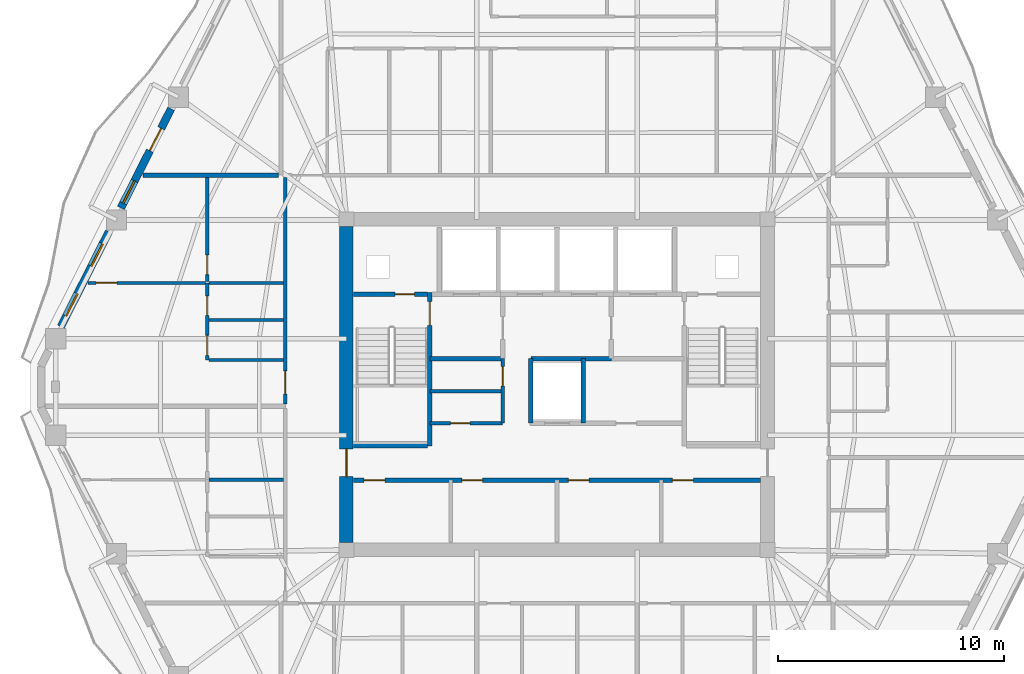
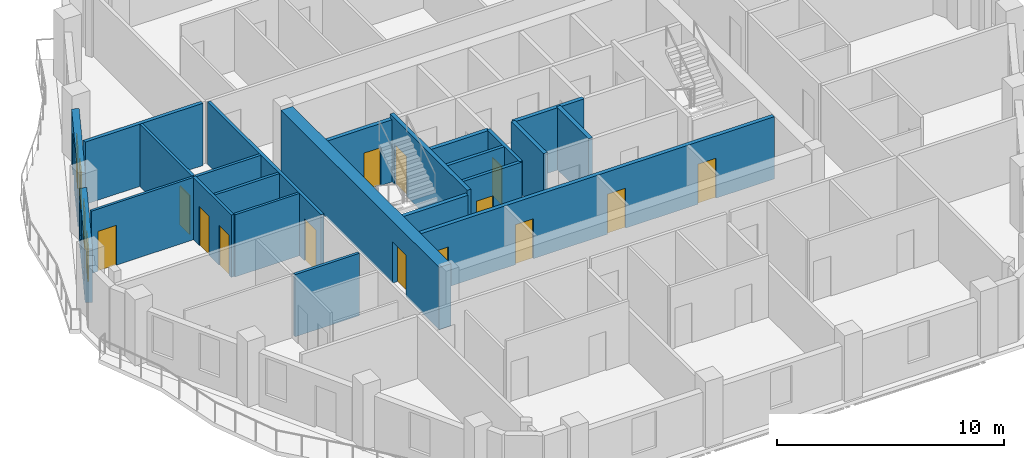
# One storey, part 5 of 12: 23 walls, 15 doors, 3 windows, 18 openings.
"""IFC4 building model written with IfcOpenShell, lengths in metres."""

from ifc_helpers import new_model, si_unit, direction, frame, frame_2d, origin, place, context, subcontext, project, spatial, rectangle, extrude, material, layer, layer_set, type_object, element, fill, save


model = new_model("IFC4")

# Units and contexts
model_context = context("Model", 3, precision=1e-05, world=origin(), true_north=direction((0.0, 1.0)))
body_context = subcontext(model_context, "Body", "Model", "MODEL_VIEW")
ifc_project = project(units=[si_unit("LENGTHUNIT", "METRE"), si_unit("AREAUNIT", "SQUARE_METRE"), si_unit("VOLUMEUNIT", "CUBIC_METRE"), si_unit("PLANEANGLEUNIT", "RADIAN"), si_unit("MASSUNIT", "GRAM", prefix="KILO")], contexts=[model_context])

# Site, building, storey
site_placement = place(None, origin())
site = spatial("IfcSite", under=ifc_project, at=site_placement, CompositionType="ELEMENT")
building_placement = place(site_placement, origin())
building = spatial("IfcBuilding", under=site, at=building_placement, Name="Cinnabar Lancet Tower", CompositionType="ELEMENT")
storey_placement = place(building_placement, frame((0.0, 0.0, 189.64990234375)))
storey = spatial("IfcBuildingStorey", under=building, at=storey_placement, Name="L50", CompositionType="ELEMENT", Elevation=189.64990234375)

# Wall, opening, door
ifc_material_1 = material(Name="Acoustic twin-stud gypsum partition", Category="gypsum")
ifc_layer_1 = layer(ifc_material_1, 0.159912109375)
ifc_layer_set_1 = layer_set([ifc_layer_1], Name="Acoustic twin-stud gypsum partition")
wall_type_1 = type_object("IfcWallType", Name="ARC-WL-CORR-160", PredefinedType="PARTITIONING", material=ifc_layer_set_1)
wall_1_placement = place(storey_placement, frame((26.800048828125, 24.199951171875, 0.0), z_axis=(0.0, 0.0, 1.0), x_axis=(1.0, 0.0, 0.0)))
wall_1 = element("IfcWall", 1, at=wall_1_placement, inside=storey, type_object=wall_type_1, Name="CW-REC5S-L50", PredefinedType="PARTITIONING", context=body_context, shape_type="SweptSolid", body=[
    extrude(rectangle(XDim=3.199951171875, YDim=0.159912109375, at=frame_2d((1.60009765625, 0.0))), origin(), (0.0, 0.0, 1.0), 3.35009765625),
])
opening_1_placement = place(wall_1_placement, frame((0.89990234375, 0.0, 0.0)))
opening_1 = element("IfcOpeningElement", 2, at=opening_1_placement, cuts=wall_1, Name="Opening PD-02", PredefinedType="OPENING", context=body_context, shape_type="SweptSolid", body=[
    extrude(rectangle(XDim=0.85009765625, YDim=2.050048828125, at=frame_2d((0.425048828125, 1.02490234375))), frame((0.0, 0.08984375, 0.0), z_axis=(0.0, -1.0, 0.0), x_axis=(1.0, 0.0, 0.0)), (0.0, 0.0, 1.0), 0.179931640625),
])
ifc_material_2 = material(Name="Fire-rated steel riser access door", Category="steel")
door_type_1 = type_object("IfcDoorType", Name="ARC-DR-RISER", OperationType="NOTDEFINED", PredefinedType="DOOR", material=ifc_material_2)
door_1_placement = place(opening_1_placement, origin())
door_1 = element("IfcDoor", 3, at=door_1_placement, inside=storey, type_object=door_type_1, Name="DR-L50-REC5S", OperationType="SINGLE_SWING_LEFT", OverallHeight=2.050048828125, OverallWidth=0.85009765625, PredefinedType="DOOR", context=body_context, shape_type="SweptSolid", body=[
    extrude(rectangle(XDim=0.85009765625, YDim=2.050048828125, at=frame_2d((0.425048828125, 1.02490234375))), frame((0.0, 0.02490234375, 0.0), z_axis=(0.0, -1.0, 0.0), x_axis=(1.0, 0.0, 0.0)), (0.0, 0.0, 1.0), 0.050048828125),
])
fill(opening_1, door_1)

wall_2_placement = place(storey_placement, frame((30.0, 24.199951171875, 0.0), z_axis=(0.0, 0.0, 1.0), x_axis=(0.0, 1.0, 0.0)))
wall_2 = element("IfcWall", 4, at=wall_2_placement, inside=storey, type_object=wall_type_1, Name="CW-REC5E-L50", PredefinedType="PARTITIONING", context=body_context, shape_type="SweptSolid", body=[
    extrude(rectangle(XDim=2.85009765625, YDim=0.159912109375, at=frame_2d((1.425048828125, 0.0))), origin(), (0.0, 0.0, 1.0), 3.35009765625),
])
opening_2_placement = place(wall_2_placement, frame((1.64990234375, 0.0, 0.0)))
opening_2 = element("IfcOpeningElement", 5, at=opening_2_placement, cuts=wall_2, Name="Opening PD-02", PredefinedType="OPENING", context=body_context, shape_type="SweptSolid", body=[
    extrude(rectangle(XDim=0.85009765625, YDim=2.050048828125, at=frame_2d((0.425048828125, 1.02490234375))), frame((0.0, 0.08984375, 0.0), z_axis=(0.0, -1.0, 0.0), x_axis=(1.0, 0.0, 0.0)), (0.0, 0.0, 1.0), 0.179931640625),
])
door_2_placement = place(opening_2_placement, origin())
door_2 = element("IfcDoor", 6, at=door_2_placement, inside=storey, type_object=door_type_1, Name="DR-L50-REC5N", OperationType="SINGLE_SWING_RIGHT", OverallHeight=2.050048828125, OverallWidth=0.85009765625, PredefinedType="DOOR", context=body_context, shape_type="SweptSolid", body=[
    extrude(rectangle(XDim=0.85009765625, YDim=2.050048828125, at=frame_2d((0.425048828125, 1.02490234375))), frame((0.0, 0.02490234375, 0.0), z_axis=(0.0, -1.0, 0.0), x_axis=(1.0, 0.0, 0.0)), (0.0, 0.0, 1.0), 0.050048828125),
])
fill(opening_2, door_2)

# Wall
wall_3_placement = place(storey_placement, frame((26.800048828125, 25.60009765625, 0.0), z_axis=(0.0, 0.0, 1.0), x_axis=(1.0, 0.0, 0.0)))
element("IfcWall", 7, at=wall_3_placement, inside=storey, type_object=wall_type_1, Name="CW-REC5HZ-L50", PredefinedType="PARTITIONING", context=body_context, shape_type="SweptSolid", body=[
    extrude(rectangle(XDim=3.199951171875, YDim=0.159912109375, at=frame_2d((1.60009765625, 0.0))), origin(), (0.0, 0.0, 1.0), 3.35009765625),
])

# Wall, opening, door
wall_4_placement = place(storey_placement, frame((20.39990234375, 25.0390625, 0.0), z_axis=(0.0, 0.0, 1.0), x_axis=(0.0, 1.0, 0.0)))
wall_4 = element("IfcWall", 8, at=wall_4_placement, inside=storey, type_object=wall_type_1, Name="UW-L50-W02-COR", PredefinedType="PARTITIONING", context=body_context, shape_type="SweptSolid", body=[
    extrude(rectangle(XDim=10.015869140625, YDim=0.159912109375, at=frame_2d((5.0078125, 0.0))), origin(), (0.0, 0.0, 1.0), 3.35009765625),
])
opening_3_placement = place(wall_4_placement, frame((0.449951171875, 0.0, 0.0)))
opening_3 = element("IfcOpeningElement", 9, at=opening_3_placement, cuts=wall_4, Name="Opening UD-01", PredefinedType="OPENING", context=body_context, shape_type="SweptSolid", body=[
    extrude(rectangle(XDim=1.02001953125, YDim=2.25, at=frame_2d((0.510009765625, 1.125))), frame((0.0, 0.08984375, 0.0), z_axis=(0.0, -1.0, 0.0), x_axis=(1.0, 0.0, 0.0)), (0.0, 0.0, 1.0), 0.179931640625),
])
ifc_material_3 = material(Name="Solid timber fire-rated apartment entrance door", Category="wood")
door_type_2 = type_object("IfcDoorType", Name="ARC-DR-UNIT", OperationType="NOTDEFINED", PredefinedType="DOOR", material=ifc_material_3)
door_3_placement = place(opening_3_placement, origin())
door_3 = element("IfcDoor", 10, at=door_3_placement, inside=storey, type_object=door_type_2, Name="DR-L50-W02-ENT", OperationType="SINGLE_SWING_RIGHT", OverallHeight=2.25, OverallWidth=1.02001953125, PredefinedType="DOOR", context=body_context, shape_type="SweptSolid", body=[
    extrude(rectangle(XDim=1.02001953125, YDim=2.25, at=frame_2d((0.510009765625, 1.125))), frame((0.0, 0.02490234375, 0.0), z_axis=(0.0, -1.0, 0.0), x_axis=(1.0, 0.0, 0.0)), (0.0, 0.0, 1.0), 0.050048828125),
])
fill(opening_3, door_3)

# Walls
ifc_material_4 = material(Name="Fire-rated twin-frame acoustic drywall", Category="gypsum")
ifc_layer_2 = layer(ifc_material_4, 0.179931640625)
ifc_layer_set_2 = layer_set([ifc_layer_2], Name="Fire-rated twin-frame acoustic drywall")
wall_type_2 = type_object("IfcWallType", Name="ARC-WL-PARTY-180", PredefinedType="PARTITIONING", material=ifc_layer_set_2)
wall_5_placement = place(storey_placement, frame((14.110107421875, 35.14990234375, 0.0), z_axis=(0.0, 0.0, 1.0), x_axis=(1.0, 0.0, 0.0)))
element("IfcWall", 11, at=wall_5_placement, inside=storey, type_object=wall_type_2, Name="PW-L50-WNB", PredefinedType="PARTITIONING", context=body_context, shape_type="SweptSolid", body=[
    extrude(rectangle(XDim=5.994873046875, YDim=0.179931640625, at=frame_2d((2.99755859375, 0.0))), origin(), (0.0, 0.0, 1.0), 3.35009765625),
])
ifc_material_5 = material(Name="Autoclaved aerated concrete blockwork", Category="masonry")
ifc_layer_3 = layer(ifc_material_5, 0.199951171875)
ifc_layer_set_3 = layer_set([ifc_layer_3], Name="Autoclaved aerated concrete blockwork")
wall_type_3 = type_object("IfcWallType", Name="ARC-WL-SHAFT-200", PredefinedType="PLUMBINGWALL", material=ifc_layer_set_3)
wall_6_placement = place(storey_placement, frame((23.405029296875, 23.199951171875, 0.0), z_axis=(0.0, 0.0, 1.0), x_axis=(1.0, 0.0, 0.0)))
element("IfcWall", 12, at=wall_6_placement, inside=storey, type_object=wall_type_3, Name="CW-ST1S-L50", PredefinedType="PLUMBINGWALL", context=body_context, shape_type="SweptSolid", body=[
    extrude(rectangle(XDim=3.27001953125, YDim=0.199951171875, at=frame_2d((1.635009765625, 0.0))), origin(), (0.0, 0.0, 1.0), 3.35009765625),
])

# Wall, opening, door
wall_7_placement = place(storey_placement, frame((23.405029296875, 29.89990234375, 0.0), z_axis=(0.0, 0.0, 1.0), x_axis=(1.0, 0.0, 0.0)))
wall_7 = element("IfcWall", 13, at=wall_7_placement, inside=storey, type_object=wall_type_3, Name="CW-NSH-W-L50", PredefinedType="PLUMBINGWALL", context=body_context, shape_type="SweptSolid", body=[
    extrude(rectangle(XDim=3.27001953125, YDim=0.199951171875, at=frame_2d((1.635009765625, 0.0))), origin(), (0.0, 0.0, 1.0), 3.35009765625),
])
opening_4_placement = place(wall_7_placement, frame((1.85009765625, 0.0, 0.0)))
opening_4 = element("IfcOpeningElement", 14, at=opening_4_placement, cuts=wall_7, Name="Opening PD-02", PredefinedType="OPENING", context=body_context, shape_type="SweptSolid", body=[
    extrude(rectangle(XDim=0.85009765625, YDim=2.050048828125, at=frame_2d((0.425048828125, 1.02490234375))), frame((0.0, 0.10986328125, 0.0), z_axis=(0.0, -1.0, 0.0), x_axis=(1.0, 0.0, 0.0)), (0.0, 0.0, 1.0), 0.219970703125),
])
door_4_placement = place(opening_4_placement, origin())
door_4 = element("IfcDoor", 15, at=door_4_placement, inside=storey, type_object=door_type_1, Name="L50 West Riser Access Door", OperationType="SINGLE_SWING_LEFT", OverallHeight=2.050048828125, OverallWidth=0.85009765625, PredefinedType="DOOR", context=body_context, shape_type="SweptSolid", body=[
    extrude(rectangle(XDim=0.85009765625, YDim=2.050048828125, at=frame_2d((0.425048828125, 1.02490234375))), frame((0.0, 0.02490234375, 0.0), z_axis=(0.0, -1.0, 0.0), x_axis=(1.0, 0.0, 0.0)), (0.0, 0.0, 1.0), 0.050048828125),
])
fill(opening_4, door_4)

# Walls
wall_8_placement = place(storey_placement, frame((26.800048828125, 27.050048828125, 0.0), z_axis=(0.0, 0.0, 1.0), x_axis=(1.0, 0.0, 0.0)))
element("IfcWall", 16, at=wall_8_placement, inside=storey, type_object=wall_type_3, Name="CW-FF1S-L50", PredefinedType="PLUMBINGWALL", context=body_context, shape_type="SweptSolid", body=[
    extrude(rectangle(XDim=3.199951171875, YDim=0.199951171875, at=frame_2d((1.60009765625, 0.0))), origin(), (0.0, 0.0, 1.0), 3.35009765625),
])
for number, where, z_axis, x_axis, name in (
    (17, (31.25, 24.199951171875, 0.0), (0.0, 0.0, 1.0), (0.0, 1.0, 0.0), "CW-PL9W-L50"),
    (18, (33.550048828125, 24.199951171875, 0.0), (0.0, 0.0, 1.0), (0.0, 1.0, 0.0), "CW-PL9E-L50"),
):
    element("IfcWall", number, at=place(storey_placement, frame(where, z_axis=z_axis, x_axis=x_axis)), inside=storey, type_object=wall_type_3, Name=name, PredefinedType="PLUMBINGWALL", context=body_context, shape_type="SweptSolid", body=[
        extrude(rectangle(XDim=2.85009765625, YDim=0.199951171875, at=frame_2d((1.425048828125, 0.0))), origin(), (0.0, 0.0, 1.0), 3.35009765625),
    ])
wall_9_placement = place(storey_placement, frame((31.25, 27.050048828125, 0.0), z_axis=(0.0, 0.0, 1.0), x_axis=(1.0, 0.0, 0.0)))
element("IfcWall", 19, at=wall_9_placement, inside=storey, type_object=wall_type_3, Name="CW-PL96N-L50", PredefinedType="PLUMBINGWALL", context=body_context, shape_type="SweptSolid", body=[
    extrude(rectangle(XDim=3.550048828125, YDim=0.199951171875, at=frame_2d((1.77490234375, 0.0))), origin(), (0.0, 0.0, 1.0), 3.35009765625),
])

# Wall, openings, doors
wall_10_placement = place(storey_placement, frame((23.419921875, 21.679931640625, 0.0), z_axis=(0.0, 0.0, 1.0), x_axis=(1.0, 0.0, 0.0)))
wall_10 = element("IfcWall", 20, at=wall_10_placement, inside=storey, type_object=wall_type_3, Name="CW-SBANDN-L50", PredefinedType="PLUMBINGWALL", context=body_context, shape_type="SweptSolid", body=[
    extrude(rectangle(XDim=17.9599609375, YDim=0.199951171875, at=frame_2d((8.97998046875, 0.0))), origin(), (0.0, 0.0, 1.0), 3.35009765625),
])
opening_5_placement = place(wall_10_placement, frame((0.4599609375, 0.0, 0.0)))
opening_5 = element("IfcOpeningElement", 21, at=opening_5_placement, cuts=wall_10, Name="Opening RD-01", PredefinedType="OPENING", context=body_context, shape_type="SweptSolid", body=[
    extrude(rectangle(XDim=0.919921875, YDim=2.14990234375, at=frame_2d((0.4599609375, 1.074951171875))), frame((0.0, 0.10986328125, 0.0), z_axis=(0.0, -1.0, 0.0), x_axis=(1.0, 0.0, 0.0)), (0.0, 0.0, 1.0), 0.219970703125),
])
opening_6_placement = place(wall_10_placement, frame((4.780029296875, 0.0, 0.0)))
opening_6 = element("IfcOpeningElement", 22, at=opening_6_placement, cuts=wall_10, Name="Opening RD-01", PredefinedType="OPENING", context=body_context, shape_type="SweptSolid", body=[
    extrude(rectangle(XDim=0.919921875, YDim=2.14990234375, at=frame_2d((0.4599609375, 1.074951171875))), frame((0.0, 0.10986328125, 0.0), z_axis=(0.0, -1.0, 0.0), x_axis=(1.0, 0.0, 0.0)), (0.0, 0.0, 1.0), 0.219970703125),
])
opening_7_placement = place(wall_10_placement, frame((9.47998046875, 0.0, 0.0)))
opening_7 = element("IfcOpeningElement", 23, at=opening_7_placement, cuts=wall_10, Name="Opening RD-01", PredefinedType="OPENING", context=body_context, shape_type="SweptSolid", body=[
    extrude(rectangle(XDim=0.919921875, YDim=2.14990234375, at=frame_2d((0.4599609375, 1.074951171875))), frame((0.0, 0.10986328125, 0.0), z_axis=(0.0, -1.0, 0.0), x_axis=(1.0, 0.0, 0.0)), (0.0, 0.0, 1.0), 0.219970703125),
])
opening_8_placement = place(wall_10_placement, frame((14.080078125, 0.0, 0.0)))
opening_8 = element("IfcOpeningElement", 24, at=opening_8_placement, cuts=wall_10, Name="Opening RD-01", PredefinedType="OPENING", context=body_context, shape_type="SweptSolid", body=[
    extrude(rectangle(XDim=0.919921875, YDim=2.14990234375, at=frame_2d((0.4599609375, 1.074951171875))), frame((0.0, 0.10986328125, 0.0), z_axis=(0.0, -1.0, 0.0), x_axis=(1.0, 0.0, 0.0)), (0.0, 0.0, 1.0), 0.219970703125),
])
ifc_material_6 = material(Name="Engineered timber bedroom door", Category="wood")
door_type_3 = type_object("IfcDoorType", Name="ARC-DR-ROOM", OperationType="NOTDEFINED", PredefinedType="DOOR", material=ifc_material_6)
door_5_placement = place(opening_5_placement, origin())
door_5 = element("IfcDoor", 25, at=door_5_placement, inside=storey, type_object=door_type_3, Name="DR-L50-HREC1", OperationType="SINGLE_SWING_LEFT", OverallHeight=2.14990234375, OverallWidth=0.919921875, PredefinedType="DOOR", context=body_context, shape_type="SweptSolid", body=[
    extrude(rectangle(XDim=0.919921875, YDim=2.14990234375, at=frame_2d((0.4599609375, 1.074951171875))), frame((0.0, 0.02490234375, 0.0), z_axis=(0.0, -1.0, 0.0), x_axis=(1.0, 0.0, 0.0)), (0.0, 0.0, 1.0), 0.050048828125),
])
fill(opening_5, door_5)
door_6_placement = place(opening_6_placement, origin())
door_6 = element("IfcDoor", 26, at=door_6_placement, inside=storey, type_object=door_type_3, Name="DR-L50-HREC2", OperationType="SINGLE_SWING_RIGHT", OverallHeight=2.14990234375, OverallWidth=0.919921875, PredefinedType="DOOR", context=body_context, shape_type="SweptSolid", body=[
    extrude(rectangle(XDim=0.919921875, YDim=2.14990234375, at=frame_2d((0.4599609375, 1.074951171875))), frame((0.0, 0.02490234375, 0.0), z_axis=(0.0, -1.0, 0.0), x_axis=(1.0, 0.0, 0.0)), (0.0, 0.0, 1.0), 0.050048828125),
])
fill(opening_6, door_6)
door_7_placement = place(opening_7_placement, origin())
door_7 = element("IfcDoor", 27, at=door_7_placement, inside=storey, type_object=door_type_3, Name="DR-L50-HREC3", OperationType="SINGLE_SWING_LEFT", OverallHeight=2.14990234375, OverallWidth=0.919921875, PredefinedType="DOOR", context=body_context, shape_type="SweptSolid", body=[
    extrude(rectangle(XDim=0.919921875, YDim=2.14990234375, at=frame_2d((0.4599609375, 1.074951171875))), frame((0.0, 0.02490234375, 0.0), z_axis=(0.0, -1.0, 0.0), x_axis=(1.0, 0.0, 0.0)), (0.0, 0.0, 1.0), 0.050048828125),
])
fill(opening_7, door_7)
door_8_placement = place(opening_8_placement, origin())
door_8 = element("IfcDoor", 28, at=door_8_placement, inside=storey, type_object=door_type_3, Name="DR-L50-HREC4", OperationType="SINGLE_SWING_RIGHT", OverallHeight=2.14990234375, OverallWidth=0.919921875, PredefinedType="DOOR", context=body_context, shape_type="SweptSolid", body=[
    extrude(rectangle(XDim=0.919921875, YDim=2.14990234375, at=frame_2d((0.4599609375, 1.074951171875))), frame((0.0, 0.02490234375, 0.0), z_axis=(0.0, -1.0, 0.0), x_axis=(1.0, 0.0, 0.0)), (0.0, 0.0, 1.0), 0.050048828125),
])
fill(opening_8, door_8)

# Wall
ifc_material_7 = material(Name="Gypsum plasterboard stud partition", Category="gypsum")
ifc_layer_4 = layer(ifc_material_7, 0.125)
ifc_layer_set_4 = layer_set([ifc_layer_4], Name="Gypsum plasterboard stud partition")
wall_type_4 = type_object("IfcWallType", Name="ARC-WL-UNIT-125", PredefinedType="PARTITIONING", material=ifc_layer_set_4)
wall_11_placement = place(storey_placement, frame((17.034912109375, 26.993896484375, 0.0), z_axis=(0.0, 0.0, 1.0), x_axis=(1.0, 0.0, 0.0)))
element("IfcWall", 29, at=wall_11_placement, inside=storey, type_object=wall_type_4, Name="UW-L50-W02-FOYN", PredefinedType="PARTITIONING", context=body_context, shape_type="SweptSolid", body=[
    extrude(rectangle(XDim=3.280029296875, YDim=0.125, at=frame_2d((1.64013671875, 0.0))), origin(), (0.0, 0.0, 1.0), 3.35009765625),
])

# Wall, opening, door
wall_12_placement = place(storey_placement, frame((11.68798828125, 30.39404296875, 0.0), z_axis=(0.0, 0.0, 1.0), x_axis=(1.0, 0.0, 0.0)))
wall_12 = element("IfcWall", 30, at=wall_12_placement, inside=storey, type_object=wall_type_4, Name="UW-L50-W02-MBN", PredefinedType="PARTITIONING", context=body_context, shape_type="SweptSolid", body=[
    extrude(rectangle(XDim=5.18701171875, YDim=0.125, at=frame_2d((2.593505859375, 0.0))), origin(), (0.0, 0.0, 1.0), 3.35009765625),
])
opening_9_placement = place(wall_12_placement, frame((0.35009765625, 0.0, 0.0)))
opening_9 = element("IfcOpeningElement", 31, at=opening_9_placement, cuts=wall_12, Name="Opening RD-01", PredefinedType="OPENING", context=body_context, shape_type="SweptSolid", body=[
    extrude(rectangle(XDim=0.919921875, YDim=2.14990234375, at=frame_2d((0.4599609375, 1.074951171875))), frame((0.0, 0.072509765625, 0.0), z_axis=(0.0, -1.0, 0.0), x_axis=(1.0, 0.0, 0.0)), (0.0, 0.0, 1.0), 0.14501953125),
])
door_9_placement = place(opening_9_placement, origin())
door_9 = element("IfcDoor", 32, at=door_9_placement, inside=storey, type_object=door_type_3, Name="DR-L50-W02-MBD", OperationType="SINGLE_SWING_RIGHT", OverallHeight=2.14990234375, OverallWidth=0.919921875, PredefinedType="DOOR", context=body_context, shape_type="SweptSolid", body=[
    extrude(rectangle(XDim=0.919921875, YDim=2.14990234375, at=frame_2d((0.4599609375, 1.074951171875))), frame((0.0, 0.02490234375, 0.0), z_axis=(0.0, -1.0, 0.0), x_axis=(1.0, 0.0, 0.0)), (0.0, 0.0, 1.0), 0.050048828125),
])
fill(opening_9, door_9)

# Wall
ifc_material_8 = material(Name="Moisture-resistant cement-board plumbing wall", Category="masonry")
ifc_layer_5 = layer(ifc_material_8, 0.139892578125)
ifc_layer_set_5 = layer_set([ifc_layer_5], Name="Moisture-resistant cement-board plumbing wall")
wall_type_5 = type_object("IfcWallType", Name="ARC-WL-WET-140", PredefinedType="PLUMBINGWALL", material=ifc_layer_set_5)
wall_13_placement = place(storey_placement, frame((17.034912109375, 21.699951171875, 0.0), z_axis=(0.0, 0.0, 1.0), x_axis=(1.0, 0.0, 0.0)))
element("IfcWall", 33, at=wall_13_placement, inside=storey, type_object=wall_type_5, Name="UW-L50-W01-ENSN", PredefinedType="PLUMBINGWALL", context=body_context, shape_type="SweptSolid", body=[
    extrude(rectangle(XDim=3.280029296875, YDim=0.139892578125, at=frame_2d((1.64013671875, 0.0))), origin(), (0.0, 0.0, 1.0), 3.35009765625),
])

# Wall, openings, doors
wall_14_placement = place(storey_placement, frame((16.949951171875, 26.993896484375, 0.0), z_axis=(0.0, 0.0, 1.0), x_axis=(0.0, 1.0, 0.0)))
wall_14 = element("IfcWall", 34, at=wall_14_placement, inside=storey, type_object=wall_type_5, Name="UW-L50-W02-SPL", PredefinedType="PLUMBINGWALL", context=body_context, shape_type="SweptSolid", body=[
    extrude(rectangle(XDim=3.400146484375, YDim=0.139892578125, at=frame_2d((1.7001953125, 0.0))), origin(), (0.0, 0.0, 1.0), 3.35009765625),
])
opening_10_placement = place(wall_14_placement, frame((0.199951171875, 0.0, 0.0)))
opening_10 = element("IfcOpeningElement", 35, at=opening_10_placement, cuts=wall_14, Name="Opening RD-02", PredefinedType="OPENING", context=body_context, shape_type="SweptSolid", body=[
    extrude(rectangle(XDim=0.8798828125, YDim=2.14990234375, at=frame_2d((0.43994140625, 1.074951171875))), frame((0.0, 0.079833984375, 0.0), z_axis=(0.0, -1.0, 0.0), x_axis=(1.0, 0.0, 0.0)), (0.0, 0.0, 1.0), 0.159912109375),
])
opening_11_placement = place(wall_14_placement, frame((1.968017578125, 0.0, 0.0)))
opening_11 = element("IfcOpeningElement", 36, at=opening_11_placement, cuts=wall_14, Name="Opening BD-01", PredefinedType="OPENING", context=body_context, shape_type="SweptSolid", body=[
    extrude(rectangle(XDim=0.860107421875, YDim=2.10009765625, at=frame_2d((0.43017578125, 1.050048828125))), frame((0.0, 0.079833984375, 0.0), z_axis=(0.0, -1.0, 0.0), x_axis=(1.0, 0.0, 0.0)), (0.0, 0.0, 1.0), 0.159912109375),
])
ifc_material_9 = material(Name="Moisture-resistant timber bathroom door", Category="wood")
door_type_4 = type_object("IfcDoorType", Name="ARC-DR-BATH", OperationType="NOTDEFINED", PredefinedType="DOOR", material=ifc_material_9)
door_10_placement = place(opening_11_placement, origin())
door_10 = element("IfcDoor", 37, at=door_10_placement, inside=storey, type_object=door_type_4, Name="DR-L50-W02-BTH", OperationType="SINGLE_SWING_RIGHT", OverallHeight=2.10009765625, OverallWidth=0.860107421875, PredefinedType="DOOR", context=body_context, shape_type="SweptSolid", body=[
    extrude(rectangle(XDim=0.860107421875, YDim=2.10009765625, at=frame_2d((0.43017578125, 1.050048828125))), frame((0.0, 0.02490234375, 0.0), z_axis=(0.0, -1.0, 0.0), x_axis=(1.0, 0.0, 0.0)), (0.0, 0.0, 1.0), 0.050048828125),
])
fill(opening_11, door_10)
ifc_material_10 = material(Name="Engineered timber study door", Category="wood")
door_type_5 = type_object("IfcDoorType", Name="ARC-DR-STUDY", OperationType="NOTDEFINED", PredefinedType="DOOR", material=ifc_material_10)
door_11_placement = place(opening_10_placement, origin())
door_11 = element("IfcDoor", 38, at=door_11_placement, inside=storey, type_object=door_type_5, Name="DR-L50-W02-KIT", OperationType="SINGLE_SWING_LEFT", OverallHeight=2.14990234375, OverallWidth=0.8798828125, PredefinedType="DOOR", context=body_context, shape_type="SweptSolid", body=[
    extrude(rectangle(XDim=0.8798828125, YDim=2.14990234375, at=frame_2d((0.43994140625, 1.074951171875))), frame((0.0, 0.02490234375, 0.0), z_axis=(0.0, -1.0, 0.0), x_axis=(1.0, 0.0, 0.0)), (0.0, 0.0, 1.0), 0.050048828125),
])
fill(opening_10, door_11)

# Wall, opening, door
wall_15_placement = place(storey_placement, frame((16.949951171875, 30.464111328125, 0.0), z_axis=(0.0, 0.0, 1.0), x_axis=(0.0, 1.0, 0.0)))
wall_15 = element("IfcWall", 39, at=wall_15_placement, inside=storey, type_object=wall_type_5, Name="UW-L50-W02-SPM", PredefinedType="PLUMBINGWALL", context=body_context, shape_type="SweptSolid", body=[
    extrude(rectangle(XDim=4.5908203125, YDim=0.139892578125, at=frame_2d((2.29541015625, 0.0))), origin(), (0.0, 0.0, 1.0), 3.35009765625),
])
opening_12_placement = place(wall_15_placement, frame((0.300048828125, 0.0, 0.0)))
opening_12 = element("IfcOpeningElement", 40, at=opening_12_placement, cuts=wall_15, Name="Opening BD-01", PredefinedType="OPENING", context=body_context, shape_type="SweptSolid", body=[
    extrude(rectangle(XDim=0.860107421875, YDim=2.10009765625, at=frame_2d((0.43017578125, 1.050048828125))), frame((0.0, 0.079833984375, 0.0), z_axis=(0.0, -1.0, 0.0), x_axis=(1.0, 0.0, 0.0)), (0.0, 0.0, 1.0), 0.159912109375),
])
door_12_placement = place(opening_12_placement, origin())
door_12 = element("IfcDoor", 41, at=door_12_placement, inside=storey, type_object=door_type_4, Name="DR-L50-W02-ENS", OperationType="SINGLE_SWING_RIGHT", OverallHeight=2.10009765625, OverallWidth=0.860107421875, PredefinedType="DOOR", context=body_context, shape_type="SweptSolid", body=[
    extrude(rectangle(XDim=0.860107421875, YDim=2.10009765625, at=frame_2d((0.43017578125, 1.050048828125))), frame((0.0, 0.02490234375, 0.0), z_axis=(0.0, -1.0, 0.0), x_axis=(1.0, 0.0, 0.0)), (0.0, 0.0, 1.0), 0.050048828125),
])
fill(opening_12, door_12)

# Walls
for number, where, z_axis, x_axis, name in (
    (42, (17.034912109375, 30.39404296875, 0.0), (0.0, 0.0, 1.0), (1.0, 0.0, 0.0), "UW-L50-W02-ENSN"),
    (43, (17.034912109375, 28.761962890625, 0.0), (0.0, 0.0, 1.0), (1.0, 0.0, 0.0), "UW-L50-W02-KDV"),
):
    element("IfcWall", number, at=place(storey_placement, frame(where, z_axis=z_axis, x_axis=x_axis)), inside=storey, type_object=wall_type_5, Name=name, PredefinedType="PLUMBINGWALL", context=body_context, shape_type="SweptSolid", body=[
        extrude(rectangle(XDim=3.280029296875, YDim=0.139892578125, at=frame_2d((1.64013671875, 0.0))), origin(), (0.0, 0.0, 1.0), 3.35009765625),
    ])

# Wall, openings, door, window
ifc_material_11 = material(Name="Cinnabar red clay brick", Category="masonry")
ifc_layer_6 = layer(ifc_material_11, 0.340087890625)
ifc_layer_set_6 = layer_set([ifc_layer_6], Name="Cinnabar red clay brick")
wall_type_6 = type_object("IfcWallType", Name="ENV-WL-BRK-RED-340", PredefinedType="STANDARD", material=ifc_layer_set_6)
wall_16_placement = place(storey_placement, frame((15.35205078125, 38.0830078125, 0.0), z_axis=(0.0, 0.0, 1.0), x_axis=(-0.451524246964, -0.89225884944, 0.0)))
wall_16 = element("IfcWall", 44, at=wall_16_placement, inside=storey, type_object=wall_type_6, Name="L50 Face 5 Masonry Bay Wall 3", PredefinedType="STANDARD", context=body_context, shape_type="SweptSolid", body=[
    extrude(rectangle(XDim=4.91015625, YDim=0.340087890625, at=frame_2d((2.455078125, 0.0))), origin(), (0.0, 0.0, 1.0), 2.883056640625),
])
opening_13_placement = place(wall_16_placement, frame((0.968017578125, 0.0, 0.0)))
opening_13 = element("IfcOpeningElement", 45, at=opening_13_placement, cuts=wall_16, Name="Opening TD-01", PredefinedType="OPENING", context=body_context, shape_type="SweptSolid", body=[
    extrude(rectangle(XDim=1.10009765625, YDim=2.25, at=frame_2d((0.550048828125, 1.125))), frame((0.0, 0.179931640625, 0.0), z_axis=(0.0, -1.0, 0.0), x_axis=(1.0, 0.0, 0.0)), (0.0, 0.0, 1.0), 0.360107421875),
])
opening_14_placement = place(wall_16_placement, frame((3.569091796875, 0.0, 0.75)))
opening_14 = element("IfcOpeningElement", 46, at=opening_14_placement, cuts=wall_16, Name="Opening WN-04", PredefinedType="OPENING", context=body_context, shape_type="SweptSolid", body=[
    extrude(rectangle(XDim=1.10009765625, YDim=1.98291015625, at=frame_2d((0.550048828125, 0.991455078125))), frame((0.0, 0.179931640625, 0.0), z_axis=(0.0, -1.0, 0.0), x_axis=(1.0, 0.0, 0.0)), (0.0, 0.0, 1.0), 0.360107421875),
])
ifc_material_12 = material(Name="Thermally broken low-E glazed balcony terrace door", Category="wood")
door_type_6 = type_object("IfcDoorType", Name="ARC-DR-BALC", OperationType="NOTDEFINED", PredefinedType="DOOR", material=ifc_material_12)
door_13_placement = place(opening_13_placement, origin())
door_13 = element("IfcDoor", 47, at=door_13_placement, inside=storey, type_object=door_type_6, Name="L50 Face 5 Glazed Terrace Door", OperationType="SINGLE_SWING_RIGHT", OverallHeight=2.25, OverallWidth=1.10009765625, PredefinedType="DOOR", context=body_context, shape_type="SweptSolid", body=[
    extrude(rectangle(XDim=1.10009765625, YDim=2.25, at=frame_2d((0.550048828125, 1.125))), frame((0.0, 0.02490234375, 0.0), z_axis=(0.0, -1.0, 0.0), x_axis=(1.0, 0.0, 0.0)), (0.0, 0.0, 1.0), 0.050048828125),
])
fill(opening_13, door_13)
ifc_material_13 = material(Name="Thermally broken bronze-anodized aluminium tall lancet window", Category="aluminium")
window_type = type_object("IfcWindowType", Name="ENV-WN-LANCET-1100", PartitioningType="SINGLE_PANEL", PredefinedType="WINDOW", material=ifc_material_13)
window_1_placement = place(opening_14_placement, origin())
window_1 = element("IfcWindow", 48, at=window_1_placement, inside=storey, type_object=window_type, Name="L50 Split-Bay Gothic Lancet Window 163", OverallHeight=1.98291015625, OverallWidth=1.10009765625, PartitioningType="SINGLE_PANEL", PredefinedType="WINDOW", context=body_context, shape_type="SweptSolid", body=[
    extrude(rectangle(XDim=1.10009765625, YDim=1.98291015625, at=frame_2d((0.550048828125, 0.991455078125))), frame((0.0, 0.030029296875, 0.0), z_axis=(0.0, -1.0, 0.0), x_axis=(1.0, 0.0, 0.0)), (0.0, 0.0, 1.0), 0.06005859375),
])
fill(opening_14, window_1)

# Wall, openings, windows
wall_17_placement = place(storey_placement, frame((12.60693359375, 32.656982421875, 0.0), z_axis=(0.0, 0.0, 1.0), x_axis=(-0.451426298588, -0.892308409096, 0.0)))
wall_17 = element("IfcWall", 49, at=wall_17_placement, inside=storey, type_object=wall_type_6, Name="L50 Face 5 Masonry Bay Wall 4", PredefinedType="STANDARD", context=body_context, shape_type="SweptSolid", body=[
    extrude(rectangle(XDim=4.7001953125, YDim=0.340087890625, at=frame_2d((2.35009765625, 0.0))), origin(), (0.0, 0.0, 1.0), 2.883056640625),
])
opening_15_placement = place(wall_17_placement, frame((0.60693359375, 0.0, 0.75)))
opening_15 = element("IfcOpeningElement", 50, at=opening_15_placement, cuts=wall_17, Name="Opening WN-04", PredefinedType="OPENING", context=body_context, shape_type="SweptSolid", body=[
    extrude(rectangle(XDim=1.10009765625, YDim=1.98291015625, at=frame_2d((0.550048828125, 0.991455078125))), frame((0.0, 0.179931640625, 0.0), z_axis=(0.0, -1.0, 0.0), x_axis=(1.0, 0.0, 0.0)), (0.0, 0.0, 1.0), 0.360107421875),
])
opening_16_placement = place(wall_17_placement, frame((3.076904296875, 0.0, 0.75)))
opening_16 = element("IfcOpeningElement", 51, at=opening_16_placement, cuts=wall_17, Name="Opening WN-04", PredefinedType="OPENING", context=body_context, shape_type="SweptSolid", body=[
    extrude(rectangle(XDim=1.10009765625, YDim=1.98291015625, at=frame_2d((0.550048828125, 0.991455078125))), frame((0.0, 0.179931640625, 0.0), z_axis=(0.0, -1.0, 0.0), x_axis=(1.0, 0.0, 0.0)), (0.0, 0.0, 1.0), 0.360107421875),
])
window_2_placement = place(opening_15_placement, origin())
window_2 = element("IfcWindow", 52, at=window_2_placement, inside=storey, type_object=window_type, Name="L50 Face 5 Gothic Lancet Window 4", OverallHeight=1.98291015625, OverallWidth=1.10009765625, PartitioningType="SINGLE_PANEL", PredefinedType="WINDOW", context=body_context, shape_type="SweptSolid", body=[
    extrude(rectangle(XDim=1.10009765625, YDim=1.98291015625, at=frame_2d((0.550048828125, 0.991455078125))), frame((0.0, 0.030029296875, 0.0), z_axis=(0.0, -1.0, 0.0), x_axis=(1.0, 0.0, 0.0)), (0.0, 0.0, 1.0), 0.06005859375),
])
fill(opening_15, window_2)
window_3_placement = place(opening_16_placement, origin())
window_3 = element("IfcWindow", 53, at=window_3_placement, inside=storey, type_object=window_type, Name="L50 Split-Bay Gothic Lancet Window 164", OverallHeight=1.98291015625, OverallWidth=1.10009765625, PartitioningType="SINGLE_PANEL", PredefinedType="WINDOW", context=body_context, shape_type="SweptSolid", body=[
    extrude(rectangle(XDim=1.10009765625, YDim=1.98291015625, at=frame_2d((0.550048828125, 0.991455078125))), frame((0.0, 0.030029296875, 0.0), z_axis=(0.0, -1.0, 0.0), x_axis=(1.0, 0.0, 0.0)), (0.0, 0.0, 1.0), 0.06005859375),
])
fill(opening_16, window_3)

# Wall, opening, door
ifc_material_14 = material(Name="Concrete C60/75", Category="concrete")
ifc_layer_7 = layer(ifc_material_14, 0.60009765625)
ifc_layer_set_7 = layer_set([ifc_layer_7], Name="Concrete C60/75")
wall_type_7 = type_object("IfcWallType", Name="STR-WL-CORE-600", PredefinedType="SHEAR", material=ifc_layer_set_7)
wall_18_placement = place(storey_placement, frame((23.10009765625, 18.925048828125, 0.0), z_axis=(0.0, 0.0, 1.0), x_axis=(0.0, 1.0, 0.0)))
wall_18 = element("IfcWall", 54, at=wall_18_placement, inside=storey, type_object=wall_type_7, Name="L50 Core Shear Wall W", PredefinedType="SHEAR", context=body_context, shape_type="SweptSolid", body=[
    extrude(rectangle(XDim=13.949951171875, YDim=0.60009765625, at=frame_2d((6.97509765625, 0.0))), origin(), (0.0, 0.0, 1.0), 3.35009765625),
])
opening_17_placement = place(wall_18_placement, frame((2.9150390625, 0.0, 0.0)))
opening_17 = element("IfcOpeningElement", 55, at=opening_17_placement, cuts=wall_18, Name="Opening FD-02", PredefinedType="OPENING", context=body_context, shape_type="SweptSolid", body=[
    extrude(rectangle(XDim=1.219970703125, YDim=2.25, at=frame_2d((0.60986328125, 1.125))), frame((0.0, 0.31005859375, 0.0), z_axis=(0.0, -1.0, 0.0), x_axis=(1.0, 0.0, 0.0)), (0.0, 0.0, 1.0), 0.6201171875),
])
ifc_material_15 = material(Name="Fire-rated double-vision core portal door", Category="wood")
door_type_7 = type_object("IfcDoorType", Name="ARC-DR-CPORT", OperationType="NOTDEFINED", PredefinedType="DOOR", material=ifc_material_15)
door_14_placement = place(opening_17_placement, origin())
door_14 = element("IfcDoor", 56, at=door_14_placement, inside=storey, type_object=door_type_7, Name="L50 West Core Lobby Fire Door", OperationType="SINGLE_SWING_RIGHT", OverallHeight=2.25, OverallWidth=1.219970703125, PredefinedType="DOOR", context=body_context, shape_type="SweptSolid", body=[
    extrude(rectangle(XDim=1.219970703125, YDim=2.25, at=frame_2d((0.60986328125, 1.125))), frame((0.0, 0.02490234375, 0.0), z_axis=(0.0, -1.0, 0.0), x_axis=(1.0, 0.0, 0.0)), (0.0, 0.0, 1.0), 0.050048828125),
])
fill(opening_17, door_14)

ifc_material_16 = material(Name="Concrete C50/60", Category="concrete")
ifc_layer_8 = layer(ifc_material_16, 0.199951171875)
ifc_layer_set_8 = layer_set([ifc_layer_8], Name="Concrete C50/60")
wall_type_8 = type_object("IfcWallType", Name="STR-WL-STAIR-200", PredefinedType="SHEAR", material=ifc_layer_set_8)
wall_19_placement = place(storey_placement, frame((26.780029296875, 23.199951171875, 0.0), z_axis=(0.0, 0.0, 1.0), x_axis=(0.0, 1.0, 0.0)))
wall_19 = element("IfcWall", 57, at=wall_19_placement, inside=storey, type_object=wall_type_8, Name="L50 Stair ST-1 Structural Enclosure Wall", PredefinedType="SHEAR", context=body_context, shape_type="SweptSolid", body=[
    extrude(rectangle(XDim=6.780029296875, YDim=0.199951171875, at=frame_2d((3.39013671875, 0.0))), origin(), (0.0, 0.0, 1.0), 3.550048828125),
])
opening_18_placement = place(wall_19_placement, frame((5.320068359375, 0.0, 0.0)))
opening_18 = element("IfcOpeningElement", 58, at=opening_18_placement, cuts=wall_19, Name="Opening SD-01", PredefinedType="OPENING", context=body_context, shape_type="SweptSolid", body=[
    extrude(rectangle(XDim=1.050048828125, YDim=2.14990234375, at=frame_2d((0.52490234375, 1.074951171875))), frame((0.0, 0.10986328125, 0.0), z_axis=(0.0, -1.0, 0.0), x_axis=(1.0, 0.0, 0.0)), (0.0, 0.0, 1.0), 0.219970703125),
])
ifc_material_17 = material(Name="Fire-rated steel stair exit door", Category="steel")
door_type_8 = type_object("IfcDoorType", Name="ARC-DR-STAIR", OperationType="NOTDEFINED", PredefinedType="DOOR", material=ifc_material_17)
door_15_placement = place(opening_18_placement, origin())
door_15 = element("IfcDoor", 59, at=door_15_placement, inside=storey, type_object=door_type_8, Name="L50 Stair ST-1 Fire Door", OperationType="SINGLE_SWING_LEFT", OverallHeight=2.14990234375, OverallWidth=1.050048828125, PredefinedType="DOOR", context=body_context, shape_type="SweptSolid", body=[
    extrude(rectangle(XDim=1.050048828125, YDim=2.14990234375, at=frame_2d((0.52490234375, 1.074951171875))), frame((0.0, 0.02490234375, 0.0), z_axis=(0.0, -1.0, 0.0), x_axis=(1.0, 0.0, 0.0)), (0.0, 0.0, 1.0), 0.050048828125),
])
fill(opening_18, door_15)

save(model, "model.ifc")
